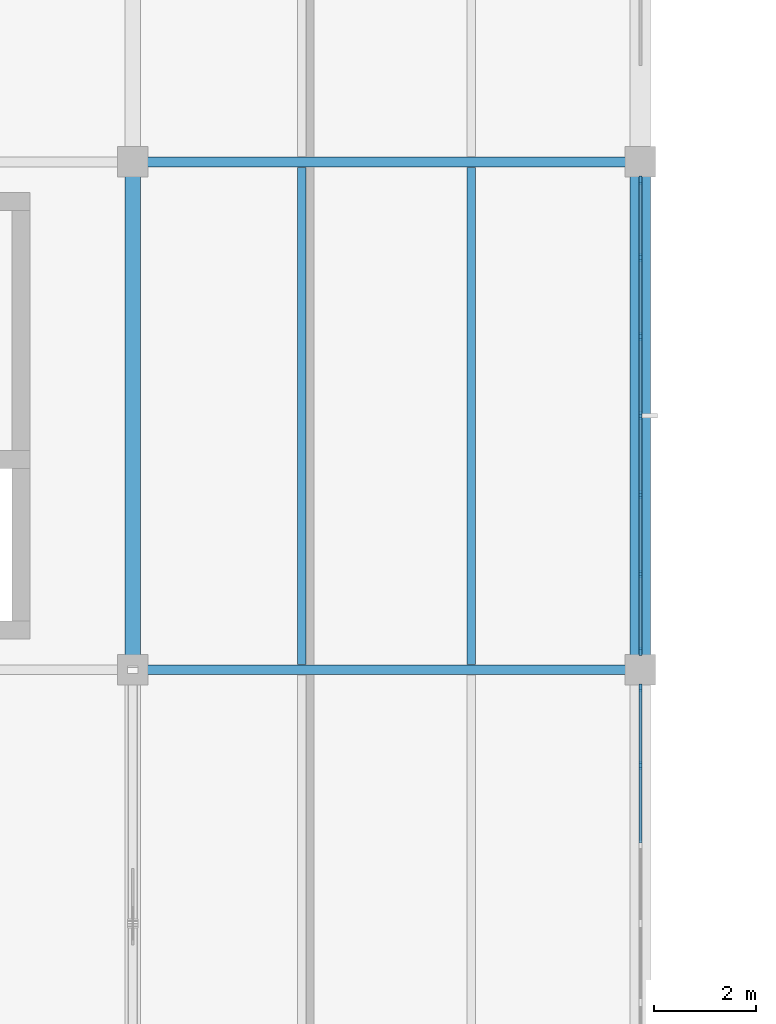
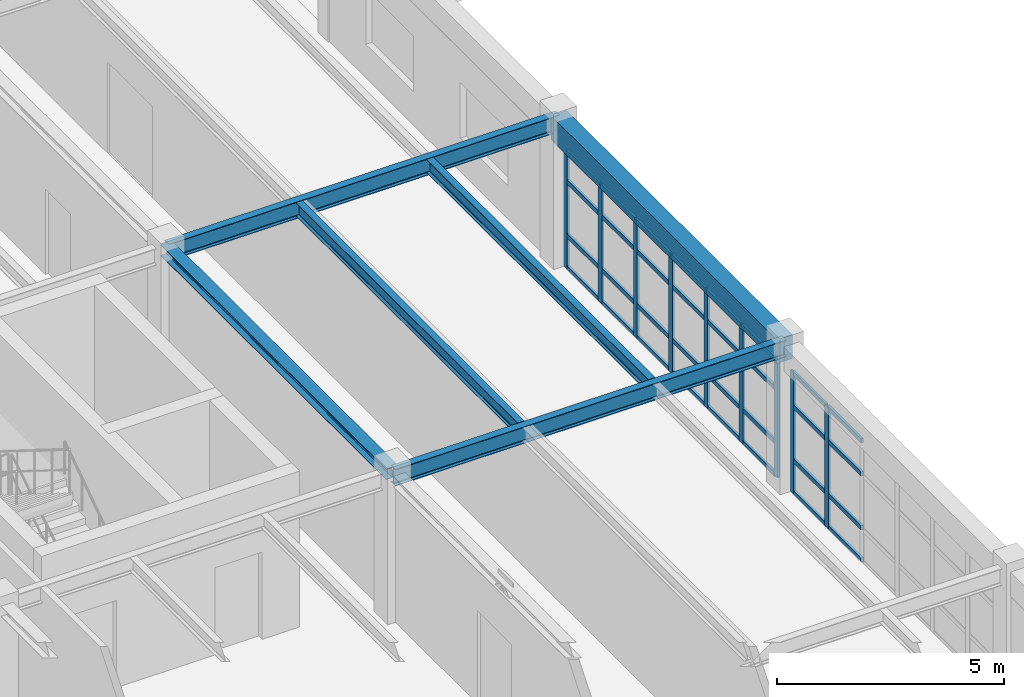
# One storey, part 32 of 122: 41 members, 6 beams, 2 elements without a shape of their own.
"""IFC4 building model written with IfcOpenShell, lengths in metres."""

import ifcopenshell
import ifcopenshell.guid

model = None  # the IFC model being written
_history = None  # IfcOwnerHistory: only IFC2X3 demands one
_inside = {}  # id of a spatial element -> (the spatial element, [elements in it])
_under = {}  # id of a project, library or spatial element -> (it, [spatial elements below it])
_declared = {}  # id of a project -> (the project, [libraries it declares])
_typed = {}  # id of a type object -> (the type object, [elements of that type])
_made_of = {}  # id of a material, layer set ... -> (it, [elements and type objects made of it])


def new_model(schema):
    """Start an empty IFC model of exactly this schema.

    Asked for "IFC4X3", IfcOpenShell would pick the latest addendum, in which some entities
    have other attributes; the version numbers below select the first issue.
    IFC2X3 requires an IfcOwnerHistory on every rooted entity: one is made here for all.
    """
    global model, _history
    if schema == "IFC4X3":
        model = ifcopenshell.file(schema_version=(4, 3, 0, 0))
    else:
        model = ifcopenshell.file(schema=schema)
    _inside.clear()
    _under.clear()
    _declared.clear()
    _typed.clear()
    _made_of.clear()
    _history = None
    if model.schema == "IFC2X3":
        org = make("IfcOrganization", Name="unknown")
        user = make(
            "IfcPersonAndOrganization",
            ThePerson=make("IfcPerson", FamilyName="unknown"),
            TheOrganization=org,
        )
        app = make(
            "IfcApplication",
            ApplicationDeveloper=org,
            Version="unknown",
            ApplicationFullName="unknown",
            ApplicationIdentifier="unknown",
        )
        _history = make(
            "IfcOwnerHistory",
            OwningUser=user,
            OwningApplication=app,
            ChangeAction="ADDED",
            CreationDate=0,
        )
    return model


def make(cls, **values):
    """One entity of the class cls with the attributes given. An attribute that is None is left unset."""
    return model.create_entity(
        cls, **{name: value for name, value in values.items() if value is not None}
    )


def rooted(cls, **values):
    """An entity with a GlobalId (a new one), such as an element, a storey or a relation."""
    return make(cls, GlobalId=ifcopenshell.guid.new(), OwnerHistory=_history, **values)


def si_unit(unit_type, name, prefix=None):
    """IfcSIUnit, for example si_unit("LENGTHUNIT", "METRE", prefix="MILLI")."""
    return make("IfcSIUnit", UnitType=unit_type, Prefix=prefix, Name=name)


def assignment(units):
    """IfcUnitAssignment: the units of a project."""
    return None if units is None else make("IfcUnitAssignment", Units=units)


def point(xyz):
    """IfcCartesianPoint."""
    return None if xyz is None else make("IfcCartesianPoint", Coordinates=xyz)


def direction(xyz):
    """IfcDirection."""
    return None if xyz is None else make("IfcDirection", DirectionRatios=xyz)


def frame(location, z_axis=None, x_axis=None):
    """IfcAxis2Placement3D, a coordinate frame: its origin and axes. An axis left out is left unset."""
    return make(
        "IfcAxis2Placement3D",
        Location=point(location),
        Axis=direction(z_axis),
        RefDirection=direction(x_axis),
    )


def frame_2d(location, x_axis=None):
    """IfcAxis2Placement2D, a coordinate frame in the plane: its origin and x axis."""
    return make(
        "IfcAxis2Placement2D", Location=point(location), RefDirection=direction(x_axis)
    )


def origin():
    """The frame at (0, 0, 0) with its axes left unset."""
    return frame((0.0, 0.0, 0.0))


def origin_2d():
    """The frame at (0, 0) in the plane with its x axis left unset."""
    return frame_2d((0.0, 0.0))


def place(relative_to, where):
    """IfcLocalPlacement: puts the frame where relative to a parent placement (None: the world)."""
    return make(
        "IfcLocalPlacement", PlacementRelTo=relative_to, RelativePlacement=where
    )


def context(
    kind, dimensions, precision=None, world=None, true_north=None, identifier=None
):
    """IfcGeometricRepresentationContext, for example the 3D "Model" context."""
    return make(
        "IfcGeometricRepresentationContext",
        ContextIdentifier=identifier,
        ContextType=kind,
        CoordinateSpaceDimension=dimensions,
        Precision=precision,
        WorldCoordinateSystem=world,
        TrueNorth=true_north,
    )


def subcontext(parent, identifier, kind, view, scale=None):
    """IfcGeometricRepresentationSubContext, for example "Body" below "Model"."""
    return make(
        "IfcGeometricRepresentationSubContext",
        ContextIdentifier=identifier,
        ContextType=kind,
        ParentContext=parent,
        TargetScale=scale,
        TargetView=view,
    )


def project(units=None, contexts=None):
    """IfcProject with its units and contexts."""
    return rooted(
        "IfcProject",
        Name="project",
        RepresentationContexts=contexts,
        UnitsInContext=assignment(units),
    )


def spatial(cls, under=None, at=None, **own):
    """A site, building, storey or space (cls), placed at a placement, below another one or the project."""
    s = rooted(cls, ObjectPlacement=at, **own)
    if under is not None:
        _under.setdefault(under.id(), (under, []))[1].append(s)
    return s


def profile(cls, at=None, kind="AREA", **sizes):
    """A parametric profile (cls). Its sizes go by their IFC names, for example OverallWidth=200.0."""
    return make(cls, ProfileType=kind, Position=at, **sizes)


def rectangle(**sizes):
    """IfcRectangleProfileDef."""
    return profile("IfcRectangleProfileDef", **sizes)


def i_section(**sizes):
    """IfcIShapeProfileDef."""
    return profile("IfcIShapeProfileDef", **sizes)


def extrude(swept, where, along, depth):
    """IfcExtrudedAreaSolid: the profile swept, set in the frame where, extruded along a direction by depth."""
    return make(
        "IfcExtrudedAreaSolid",
        SweptArea=swept,
        Position=where,
        ExtrudedDirection=direction(along),
        Depth=depth,
    )


def shape(context_of_items, identifier, shape_type, items):
    """IfcShapeRepresentation: the items that make up one representation, for example the "Body"."""
    return make(
        "IfcShapeRepresentation",
        ContextOfItems=context_of_items,
        RepresentationIdentifier=identifier,
        RepresentationType=shape_type,
        Items=items,
    )


def material(Name=None, Category=None):
    """IfcMaterial."""
    return make("IfcMaterial", Name=Name, Category=Category)


def layer(
    of_material, thickness, ventilated=None, Name=None, Category=None, Priority=None
):
    """IfcMaterialLayer: one layer of a wall or slab, of a material (None: an air gap)."""
    return make(
        "IfcMaterialLayer",
        Material=of_material,
        LayerThickness=thickness,
        IsVentilated=ventilated,
        Name=Name,
        Category=Category,
        Priority=Priority,
    )


def layer_set(layers, Name=None):
    """IfcMaterialLayerSet."""
    return make("IfcMaterialLayerSet", MaterialLayers=layers, LayerSetName=Name)


def material_profile(
    of_material, cross_section, Name=None, Category=None, Priority=None
):
    """IfcMaterialProfile: a cross section and its material."""
    return make(
        "IfcMaterialProfile",
        Name=Name,
        Material=of_material,
        Profile=cross_section,
        Priority=Priority,
        Category=Category,
    )


def profile_set(profiles, Name=None, composite=None):
    """IfcMaterialProfileSet."""
    return make(
        "IfcMaterialProfileSet",
        Name=Name,
        MaterialProfiles=profiles,
        CompositeProfile=composite,
    )


def made_of(thing, what):
    """Note that an element or type object is made of a material, layer set ...; save() writes the relation."""
    if what is not None:
        _made_of.setdefault(what.id(), (what, []))[1].append(thing)
    return thing


def type_object(cls, material=None, **own):
    """A type object (cls), such as IfcWallType, which elements share."""
    return made_of(rooted(cls, **own), material)


def element(
    cls,
    number,
    at=None,
    inside=None,
    cuts=None,
    type_object=None,
    material=None,
    context=None,
    identifier="Body",
    shape_type=None,
    held_by="IfcProductDefinitionShape",
    body=None,
    shapes=None,
    **own,
):
    """One element of the class cls, such as IfcWall. Its Tag is "e" and its number.

    at: its placement. inside: the storey or other place that contains it. cuts: it is an
    opening in that element (IfcRelVoidsElement). A single representation is given by context,
    identifier, shape_type and body (its items); several are given by shapes. held_by: the class
    of the entity that holds the representations. save() writes the other relations.
    """
    e = rooted(cls, Tag="e%d" % number, ObjectPlacement=at, **own)
    if body is not None:
        shapes = [shape(context, identifier, shape_type, body)]
    if shapes is not None:
        e.Representation = make(held_by, Representations=shapes)
    if inside is not None:
        _inside.setdefault(inside.id(), (inside, []))[1].append(e)
    if cuts is not None:
        rooted(
            "IfcRelVoidsElement", RelatingBuildingElement=cuts, RelatedOpeningElement=e
        )
    if type_object is not None:
        _typed.setdefault(type_object.id(), (type_object, []))[1].append(e)
    return made_of(e, material)


def aggregate(whole, parts):
    """IfcRelAggregates: a whole, such as a stair, and the parts it consists of."""
    return rooted("IfcRelAggregates", RelatingObject=whole, RelatedObjects=parts)


def save(model, path):
    """Write the relations noted so far, then the file.

    IfcRelAggregates (storeys below a building ...), IfcRelContainedInSpatialStructure (elements
    in a storey), IfcRelDefinesByType, IfcRelAssociatesMaterial and IfcRelDeclares: one each for
    every whole, place, type object, material and project.
    """
    for whole, parts in _under.values():
        aggregate(whole, parts)
    for where, things in _inside.values():
        rooted(
            "IfcRelContainedInSpatialStructure",
            RelatedElements=things,
            RelatingStructure=where,
        )
    for kind, things in _typed.values():
        rooted("IfcRelDefinesByType", RelatedObjects=things, RelatingType=kind)
    for what, things in _made_of.values():
        rooted("IfcRelAssociatesMaterial", RelatedObjects=things, RelatingMaterial=what)
    for by, libraries in _declared.values():
        rooted("IfcRelDeclares", RelatingContext=by, RelatedDefinitions=libraries)
    model.write(path)


model = new_model("IFC4")

# Units and contexts
model_context = context("Model", 3, precision=1e-05, world=origin(), true_north=direction((0.0, 1.0)))
body_context = subcontext(model_context, "Body", "Model", "MODEL_VIEW")
ifc_project = project(units=[si_unit("LENGTHUNIT", "METRE"), si_unit("AREAUNIT", "SQUARE_METRE"), si_unit("VOLUMEUNIT", "CUBIC_METRE"), si_unit("PLANEANGLEUNIT", "RADIAN"), si_unit("MASSUNIT", "GRAM", prefix="KILO"), si_unit("THERMODYNAMICTEMPERATUREUNIT", "KELVIN"), si_unit("POWERUNIT", "WATT")], contexts=[model_context])

# Site, building, storey
site_placement = place(None, origin())
site = spatial("IfcSite", under=ifc_project, at=site_placement, CompositionType="ELEMENT")
building_placement = place(site_placement, origin())
building = spatial("IfcBuilding", under=site, at=building_placement, Name="Korenveer Ferry Terminal", CompositionType="ELEMENT")
storey_placement = place(building_placement, frame((0.0, 0.0, 10.199951171875)))
storey = spatial("IfcBuildingStorey", under=building, at=storey_placement, Name="L02", CompositionType="ELEMENT", Elevation=10.199951171875)

# Curtain wall, members
ifc_material_1 = material(Name="Unitised bronze-and-glass curtain wall", Category="glass")
ifc_layer_1 = layer(ifc_material_1, 0.159912109375)
ifc_layer_set_1 = layer_set([ifc_layer_1], Name="Unitised bronze-and-glass curtain wall")
curtain_wall_type_1 = type_object("IfcCurtainWallType", Name="ENV-CW-108", PredefinedType="USERDEFINED", material=ifc_layer_set_1)
curtain_wall_1_placement = place(storey_placement, frame((30.0, 49.669921875, 0.0)))
curtain_wall_1 = element("IfcCurtainWall", 1, at=curtain_wall_1_placement, inside=storey, type_object=curtain_wall_type_1, Name="Lancet curtain wall CWX-L02-X30-30-Y40-50", ObjectType="UNITISED CURTAIN WALL", PredefinedType="USERDEFINED")
ifc_material_2 = material(Name="Anodised bronze aluminium", Category="aluminium")
ifc_material_profile_1 = material_profile(ifc_material_2, rectangle(XDim=0.06005859375, YDim=0.159912109375, at=origin_2d()), Name="ALU 60x160")
ifc_profile_set_1 = profile_set([ifc_material_profile_1], Name="Anodised bronze aluminium")
member_type_1 = type_object("IfcMemberType", Name="ENV-CWM-60X160", PredefinedType="MULLION", material=ifc_profile_set_1)
member_1_placement = place(storey_placement, frame((30.0, 49.639892578125, 0.0), z_axis=(0.0, 0.0, 1.0), x_axis=(1.0, 0.0, 0.0)))
member_1 = element("IfcMember", 2, at=member_1_placement, type_object=member_type_1, Name="CW-108 mullion 1", PredefinedType="MULLION", context=body_context, shape_type="SweptSolid", body=[
    extrude(rectangle(XDim=0.06005859375, YDim=0.159912109375, at=origin_2d()), origin(), (0.0, 0.0, 1.0), 3.27001953125),
])
member_2_placement = place(storey_placement, frame((30.0, 48.11328125, 0.0), z_axis=(0.0, 0.0, 1.0), x_axis=(1.0, 0.0, 0.0)))
member_2 = element("IfcMember", 3, at=member_2_placement, type_object=member_type_1, Name="CW-108 mullion 2", PredefinedType="MULLION", context=body_context, shape_type="SweptSolid", body=[
    extrude(rectangle(XDim=0.06005859375, YDim=0.159912109375, at=origin_2d()), origin(), (0.0, 0.0, 1.0), 3.27001953125),
])

ifc_layer_2 = layer(ifc_material_1, 0.159912109375)
ifc_layer_set_2 = layer_set([ifc_layer_2], Name="Unitised bronze-and-glass curtain wall")
curtain_wall_type_2 = type_object("IfcCurtainWallType", Name="ENV-CW-109", PredefinedType="USERDEFINED", material=ifc_layer_set_2)
curtain_wall_2_placement = place(storey_placement, frame((30.0, 59.669921875, 0.0)))
curtain_wall_2 = element("IfcCurtainWall", 4, at=curtain_wall_2_placement, inside=storey, type_object=curtain_wall_type_2, Name="Lancet curtain wall CWX-L02-X30-30-Y50-60", ObjectType="UNITISED CURTAIN WALL", PredefinedType="USERDEFINED")
member_3_placement = place(storey_placement, frame((30.0, 59.639892578125, 0.0), z_axis=(0.0, 0.0, 1.0), x_axis=(1.0, 0.0, 0.0)))
member_3 = element("IfcMember", 5, at=member_3_placement, type_object=member_type_1, Name="CW-109 mullion 1", PredefinedType="MULLION", context=body_context, shape_type="SweptSolid", body=[
    extrude(rectangle(XDim=0.06005859375, YDim=0.159912109375, at=origin_2d()), origin(), (0.0, 0.0, 1.0), 3.170166015625),
])
member_4_placement = place(storey_placement, frame((30.0, 58.11328125, 0.0), z_axis=(0.0, 0.0, 1.0), x_axis=(1.0, 0.0, 0.0)))
member_4 = element("IfcMember", 6, at=member_4_placement, type_object=member_type_1, Name="CW-109 mullion 2", PredefinedType="MULLION", context=body_context, shape_type="SweptSolid", body=[
    extrude(rectangle(XDim=0.06005859375, YDim=0.159912109375, at=origin_2d()), origin(), (0.0, 0.0, 1.0), 3.170166015625),
])
member_5_placement = place(storey_placement, frame((30.0, 56.556640625, 0.0), z_axis=(0.0, 0.0, 1.0), x_axis=(1.0, 0.0, 0.0)))
member_5 = element("IfcMember", 7, at=member_5_placement, type_object=member_type_1, Name="CW-109 mullion 3", PredefinedType="MULLION", context=body_context, shape_type="SweptSolid", body=[
    extrude(rectangle(XDim=0.06005859375, YDim=0.159912109375, at=origin_2d()), origin(), (0.0, 0.0, 1.0), 3.170166015625),
])
member_6_placement = place(storey_placement, frame((30.0, 55.0, 0.0), z_axis=(0.0, 0.0, 1.0), x_axis=(1.0, 0.0, 0.0)))
member_6 = element("IfcMember", 8, at=member_6_placement, type_object=member_type_1, Name="CW-109 mullion 4", PredefinedType="MULLION", context=body_context, shape_type="SweptSolid", body=[
    extrude(rectangle(XDim=0.06005859375, YDim=0.159912109375, at=origin_2d()), origin(), (0.0, 0.0, 1.0), 3.170166015625),
])
member_7_placement = place(storey_placement, frame((30.0, 53.443359375, 0.0), z_axis=(0.0, 0.0, 1.0), x_axis=(1.0, 0.0, 0.0)))
member_7 = element("IfcMember", 9, at=member_7_placement, type_object=member_type_1, Name="CW-109 mullion 5", PredefinedType="MULLION", context=body_context, shape_type="SweptSolid", body=[
    extrude(rectangle(XDim=0.06005859375, YDim=0.159912109375, at=origin_2d()), origin(), (0.0, 0.0, 1.0), 3.170166015625),
])
member_8_placement = place(storey_placement, frame((30.0, 51.88671875, 0.0), z_axis=(0.0, 0.0, 1.0), x_axis=(1.0, 0.0, 0.0)))
member_8 = element("IfcMember", 10, at=member_8_placement, type_object=member_type_1, Name="CW-109 mullion 6", PredefinedType="MULLION", context=body_context, shape_type="SweptSolid", body=[
    extrude(rectangle(XDim=0.06005859375, YDim=0.159912109375, at=origin_2d()), origin(), (0.0, 0.0, 1.0), 3.170166015625),
])
member_9_placement = place(storey_placement, frame((30.0, 50.360107421875, 0.0), z_axis=(0.0, 0.0, 1.0), x_axis=(1.0, 0.0, 0.0)))
member_9 = element("IfcMember", 11, at=member_9_placement, type_object=member_type_1, Name="CW-109 mullion 7", PredefinedType="MULLION", context=body_context, shape_type="SweptSolid", body=[
    extrude(rectangle(XDim=0.06005859375, YDim=0.159912109375, at=origin_2d()), origin(), (0.0, 0.0, 1.0), 3.170166015625),
])

# Member
ifc_material_profile_2 = material_profile(ifc_material_2, rectangle(XDim=0.06005859375, YDim=0.1201171875, at=origin_2d()), Name="ALU 60x120")
ifc_profile_set_2 = profile_set([ifc_material_profile_2], Name="Anodised bronze aluminium")
member_type_2 = type_object("IfcMemberType", Name="ENV-CWT-60X120", PredefinedType="USERDEFINED", material=ifc_profile_set_2)
member_10_placement = place(storey_placement, frame((30.0, 49.610107421875, 0.030029296875), z_axis=(0.0, -1.0, 0.0), x_axis=(1.0, 0.0, 0.0)))
member_10 = element("IfcMember", 12, at=member_10_placement, type_object=member_type_2, Name="CW-108 transom 1.1", ObjectType="TRANSOM", PredefinedType="USERDEFINED", context=body_context, shape_type="SweptSolid", body=[
    extrude(rectangle(XDim=0.06005859375, YDim=0.1201171875, at=origin_2d()), origin(), (0.0, 0.0, 1.0), 1.466796875),
])

member_11_placement = place(storey_placement, frame((30.0, 49.610107421875, 0.900146484375), z_axis=(0.0, -1.0, 0.0), x_axis=(1.0, 0.0, 0.0)))
member_11 = element("IfcMember", 13, at=member_11_placement, type_object=member_type_2, Name="CW-108 transom 1.2", ObjectType="TRANSOM", PredefinedType="USERDEFINED", context=body_context, shape_type="SweptSolid", body=[
    extrude(rectangle(XDim=0.06005859375, YDim=0.1201171875, at=origin_2d()), origin(), (0.0, 0.0, 1.0), 1.466796875),
])

member_12_placement = place(storey_placement, frame((30.0, 49.610107421875, 2.35009765625), z_axis=(0.0, -1.0, 0.0), x_axis=(1.0, 0.0, 0.0)))
member_12 = element("IfcMember", 14, at=member_12_placement, type_object=member_type_2, Name="CW-108 transom 1.3", ObjectType="TRANSOM", PredefinedType="USERDEFINED", context=body_context, shape_type="SweptSolid", body=[
    extrude(rectangle(XDim=0.06005859375, YDim=0.1201171875, at=origin_2d()), origin(), (0.0, 0.0, 1.0), 1.466796875),
])

member_13_placement = place(storey_placement, frame((30.0, 49.610107421875, 3.239990234375), z_axis=(0.0, -1.0, 0.0), x_axis=(1.0, 0.0, 0.0)))
member_13 = element("IfcMember", 15, at=member_13_placement, type_object=member_type_2, Name="CW-108 transom 1.4", ObjectType="TRANSOM", PredefinedType="USERDEFINED", context=body_context, shape_type="SweptSolid", body=[
    extrude(rectangle(XDim=0.06005859375, YDim=0.1201171875, at=origin_2d()), origin(), (0.0, 0.0, 1.0), 1.466796875),
])

member_14_placement = place(storey_placement, frame((30.0, 48.083251953125, 0.030029296875), z_axis=(0.0, -1.0, 0.0), x_axis=(1.0, 0.0, 0.0)))
member_14 = element("IfcMember", 16, at=member_14_placement, type_object=member_type_2, Name="CW-108 transom 2.1", ObjectType="TRANSOM", PredefinedType="USERDEFINED", context=body_context, shape_type="SweptSolid", body=[
    extrude(rectangle(XDim=0.06005859375, YDim=0.1201171875, at=origin_2d()), origin(), (0.0, 0.0, 1.0), 1.49658203125),
])

member_15_placement = place(storey_placement, frame((30.0, 48.083251953125, 0.900146484375), z_axis=(0.0, -1.0, 0.0), x_axis=(1.0, 0.0, 0.0)))
member_15 = element("IfcMember", 17, at=member_15_placement, type_object=member_type_2, Name="CW-108 transom 2.2", ObjectType="TRANSOM", PredefinedType="USERDEFINED", context=body_context, shape_type="SweptSolid", body=[
    extrude(rectangle(XDim=0.06005859375, YDim=0.1201171875, at=origin_2d()), origin(), (0.0, 0.0, 1.0), 1.49658203125),
])

member_16_placement = place(storey_placement, frame((30.0, 48.083251953125, 2.35009765625), z_axis=(0.0, -1.0, 0.0), x_axis=(1.0, 0.0, 0.0)))
member_16 = element("IfcMember", 18, at=member_16_placement, type_object=member_type_2, Name="CW-108 transom 2.3", ObjectType="TRANSOM", PredefinedType="USERDEFINED", context=body_context, shape_type="SweptSolid", body=[
    extrude(rectangle(XDim=0.06005859375, YDim=0.1201171875, at=origin_2d()), origin(), (0.0, 0.0, 1.0), 1.49658203125),
])

member_17_placement = place(storey_placement, frame((30.0, 48.083251953125, 3.239990234375), z_axis=(0.0, -1.0, 0.0), x_axis=(1.0, 0.0, 0.0)))
member_17 = element("IfcMember", 19, at=member_17_placement, type_object=member_type_2, Name="CW-108 transom 2.4", ObjectType="TRANSOM", PredefinedType="USERDEFINED", context=body_context, shape_type="SweptSolid", body=[
    extrude(rectangle(XDim=0.06005859375, YDim=0.1201171875, at=origin_2d()), origin(), (0.0, 0.0, 1.0), 1.49658203125),
])

aggregate(curtain_wall_1, [member_1, member_2, member_10, member_11, member_12, member_13, member_14, member_15, member_16, member_17])

member_18_placement = place(storey_placement, frame((30.0, 59.610107421875, 0.030029296875), z_axis=(0.0, -1.0, 0.0), x_axis=(1.0, 0.0, 0.0)))
member_18 = element("IfcMember", 20, at=member_18_placement, type_object=member_type_2, Name="CW-109 transom 1.1", ObjectType="TRANSOM", PredefinedType="USERDEFINED", context=body_context, shape_type="SweptSolid", body=[
    extrude(rectangle(XDim=0.06005859375, YDim=0.1201171875, at=origin_2d()), origin(), (0.0, 0.0, 1.0), 1.466796875),
])

member_19_placement = place(storey_placement, frame((30.0, 59.610107421875, 0.900146484375), z_axis=(0.0, -1.0, 0.0), x_axis=(1.0, 0.0, 0.0)))
member_19 = element("IfcMember", 21, at=member_19_placement, type_object=member_type_2, Name="CW-109 transom 1.2", ObjectType="TRANSOM", PredefinedType="USERDEFINED", context=body_context, shape_type="SweptSolid", body=[
    extrude(rectangle(XDim=0.06005859375, YDim=0.1201171875, at=origin_2d()), origin(), (0.0, 0.0, 1.0), 1.466796875),
])

member_20_placement = place(storey_placement, frame((30.0, 59.610107421875, 2.35009765625), z_axis=(0.0, -1.0, 0.0), x_axis=(1.0, 0.0, 0.0)))
member_20 = element("IfcMember", 22, at=member_20_placement, type_object=member_type_2, Name="CW-109 transom 1.3", ObjectType="TRANSOM", PredefinedType="USERDEFINED", context=body_context, shape_type="SweptSolid", body=[
    extrude(rectangle(XDim=0.06005859375, YDim=0.1201171875, at=origin_2d()), origin(), (0.0, 0.0, 1.0), 1.466796875),
])

member_21_placement = place(storey_placement, frame((30.0, 59.610107421875, 3.14013671875), z_axis=(0.0, -1.0, 0.0), x_axis=(1.0, 0.0, 0.0)))
member_21 = element("IfcMember", 23, at=member_21_placement, type_object=member_type_2, Name="CW-109 transom 1.4", ObjectType="TRANSOM", PredefinedType="USERDEFINED", context=body_context, shape_type="SweptSolid", body=[
    extrude(rectangle(XDim=0.06005859375, YDim=0.1201171875, at=origin_2d()), origin(), (0.0, 0.0, 1.0), 1.466796875),
])

member_22_placement = place(storey_placement, frame((30.0, 58.083251953125, 0.030029296875), z_axis=(0.0, -1.0, 0.0), x_axis=(1.0, 0.0, 0.0)))
member_22 = element("IfcMember", 24, at=member_22_placement, type_object=member_type_2, Name="CW-109 transom 2.1", ObjectType="TRANSOM", PredefinedType="USERDEFINED", context=body_context, shape_type="SweptSolid", body=[
    extrude(rectangle(XDim=0.06005859375, YDim=0.1201171875, at=origin_2d()), origin(), (0.0, 0.0, 1.0), 1.49658203125),
])

member_23_placement = place(storey_placement, frame((30.0, 58.083251953125, 0.900146484375), z_axis=(0.0, -1.0, 0.0), x_axis=(1.0, 0.0, 0.0)))
member_23 = element("IfcMember", 25, at=member_23_placement, type_object=member_type_2, Name="CW-109 transom 2.2", ObjectType="TRANSOM", PredefinedType="USERDEFINED", context=body_context, shape_type="SweptSolid", body=[
    extrude(rectangle(XDim=0.06005859375, YDim=0.1201171875, at=origin_2d()), origin(), (0.0, 0.0, 1.0), 1.49658203125),
])

member_24_placement = place(storey_placement, frame((30.0, 58.083251953125, 2.35009765625), z_axis=(0.0, -1.0, 0.0), x_axis=(1.0, 0.0, 0.0)))
member_24 = element("IfcMember", 26, at=member_24_placement, type_object=member_type_2, Name="CW-109 transom 2.3", ObjectType="TRANSOM", PredefinedType="USERDEFINED", context=body_context, shape_type="SweptSolid", body=[
    extrude(rectangle(XDim=0.06005859375, YDim=0.1201171875, at=origin_2d()), origin(), (0.0, 0.0, 1.0), 1.49658203125),
])

member_25_placement = place(storey_placement, frame((30.0, 58.083251953125, 3.14013671875), z_axis=(0.0, -1.0, 0.0), x_axis=(1.0, 0.0, 0.0)))
member_25 = element("IfcMember", 27, at=member_25_placement, type_object=member_type_2, Name="CW-109 transom 2.4", ObjectType="TRANSOM", PredefinedType="USERDEFINED", context=body_context, shape_type="SweptSolid", body=[
    extrude(rectangle(XDim=0.06005859375, YDim=0.1201171875, at=origin_2d()), origin(), (0.0, 0.0, 1.0), 1.49658203125),
])

member_26_placement = place(storey_placement, frame((30.0, 56.526611328125, 0.030029296875), z_axis=(0.0, -1.0, 0.0), x_axis=(1.0, 0.0, 0.0)))
member_26 = element("IfcMember", 28, at=member_26_placement, type_object=member_type_2, Name="CW-109 transom 3.1", ObjectType="TRANSOM", PredefinedType="USERDEFINED", context=body_context, shape_type="SweptSolid", body=[
    extrude(rectangle(XDim=0.06005859375, YDim=0.1201171875, at=origin_2d()), origin(), (0.0, 0.0, 1.0), 1.49658203125),
])

member_27_placement = place(storey_placement, frame((30.0, 56.526611328125, 0.900146484375), z_axis=(0.0, -1.0, 0.0), x_axis=(1.0, 0.0, 0.0)))
member_27 = element("IfcMember", 29, at=member_27_placement, type_object=member_type_2, Name="CW-109 transom 3.2", ObjectType="TRANSOM", PredefinedType="USERDEFINED", context=body_context, shape_type="SweptSolid", body=[
    extrude(rectangle(XDim=0.06005859375, YDim=0.1201171875, at=origin_2d()), origin(), (0.0, 0.0, 1.0), 1.49658203125),
])

member_28_placement = place(storey_placement, frame((30.0, 56.526611328125, 2.35009765625), z_axis=(0.0, -1.0, 0.0), x_axis=(1.0, 0.0, 0.0)))
member_28 = element("IfcMember", 30, at=member_28_placement, type_object=member_type_2, Name="CW-109 transom 3.3", ObjectType="TRANSOM", PredefinedType="USERDEFINED", context=body_context, shape_type="SweptSolid", body=[
    extrude(rectangle(XDim=0.06005859375, YDim=0.1201171875, at=origin_2d()), origin(), (0.0, 0.0, 1.0), 1.49658203125),
])

member_29_placement = place(storey_placement, frame((30.0, 56.526611328125, 3.14013671875), z_axis=(0.0, -1.0, 0.0), x_axis=(1.0, 0.0, 0.0)))
member_29 = element("IfcMember", 31, at=member_29_placement, type_object=member_type_2, Name="CW-109 transom 3.4", ObjectType="TRANSOM", PredefinedType="USERDEFINED", context=body_context, shape_type="SweptSolid", body=[
    extrude(rectangle(XDim=0.06005859375, YDim=0.1201171875, at=origin_2d()), origin(), (0.0, 0.0, 1.0), 1.49658203125),
])

member_30_placement = place(storey_placement, frame((30.0, 54.969970703125, 0.030029296875), z_axis=(0.0, -1.0, 0.0), x_axis=(1.0, 0.0, 0.0)))
member_30 = element("IfcMember", 32, at=member_30_placement, type_object=member_type_2, Name="CW-109 transom 4.1", ObjectType="TRANSOM", PredefinedType="USERDEFINED", context=body_context, shape_type="SweptSolid", body=[
    extrude(rectangle(XDim=0.06005859375, YDim=0.1201171875, at=origin_2d()), origin(), (0.0, 0.0, 1.0), 1.49658203125),
])

member_31_placement = place(storey_placement, frame((30.0, 54.969970703125, 0.900146484375), z_axis=(0.0, -1.0, 0.0), x_axis=(1.0, 0.0, 0.0)))
member_31 = element("IfcMember", 33, at=member_31_placement, type_object=member_type_2, Name="CW-109 transom 4.2", ObjectType="TRANSOM", PredefinedType="USERDEFINED", context=body_context, shape_type="SweptSolid", body=[
    extrude(rectangle(XDim=0.06005859375, YDim=0.1201171875, at=origin_2d()), origin(), (0.0, 0.0, 1.0), 1.49658203125),
])

member_32_placement = place(storey_placement, frame((30.0, 54.969970703125, 2.35009765625), z_axis=(0.0, -1.0, 0.0), x_axis=(1.0, 0.0, 0.0)))
member_32 = element("IfcMember", 34, at=member_32_placement, type_object=member_type_2, Name="CW-109 transom 4.3", ObjectType="TRANSOM", PredefinedType="USERDEFINED", context=body_context, shape_type="SweptSolid", body=[
    extrude(rectangle(XDim=0.06005859375, YDim=0.1201171875, at=origin_2d()), origin(), (0.0, 0.0, 1.0), 1.49658203125),
])

member_33_placement = place(storey_placement, frame((30.0, 54.969970703125, 3.14013671875), z_axis=(0.0, -1.0, 0.0), x_axis=(1.0, 0.0, 0.0)))
member_33 = element("IfcMember", 35, at=member_33_placement, type_object=member_type_2, Name="CW-109 transom 4.4", ObjectType="TRANSOM", PredefinedType="USERDEFINED", context=body_context, shape_type="SweptSolid", body=[
    extrude(rectangle(XDim=0.06005859375, YDim=0.1201171875, at=origin_2d()), origin(), (0.0, 0.0, 1.0), 1.49658203125),
])

member_34_placement = place(storey_placement, frame((30.0, 53.413330078125, 0.030029296875), z_axis=(0.0, -1.0, 0.0), x_axis=(1.0, 0.0, 0.0)))
member_34 = element("IfcMember", 36, at=member_34_placement, type_object=member_type_2, Name="CW-109 transom 5.1", ObjectType="TRANSOM", PredefinedType="USERDEFINED", context=body_context, shape_type="SweptSolid", body=[
    extrude(rectangle(XDim=0.06005859375, YDim=0.1201171875, at=origin_2d()), origin(), (0.0, 0.0, 1.0), 1.49658203125),
])

member_35_placement = place(storey_placement, frame((30.0, 53.413330078125, 0.900146484375), z_axis=(0.0, -1.0, 0.0), x_axis=(1.0, 0.0, 0.0)))
member_35 = element("IfcMember", 37, at=member_35_placement, type_object=member_type_2, Name="CW-109 transom 5.2", ObjectType="TRANSOM", PredefinedType="USERDEFINED", context=body_context, shape_type="SweptSolid", body=[
    extrude(rectangle(XDim=0.06005859375, YDim=0.1201171875, at=origin_2d()), origin(), (0.0, 0.0, 1.0), 1.49658203125),
])

member_36_placement = place(storey_placement, frame((30.0, 53.413330078125, 2.35009765625), z_axis=(0.0, -1.0, 0.0), x_axis=(1.0, 0.0, 0.0)))
member_36 = element("IfcMember", 38, at=member_36_placement, type_object=member_type_2, Name="CW-109 transom 5.3", ObjectType="TRANSOM", PredefinedType="USERDEFINED", context=body_context, shape_type="SweptSolid", body=[
    extrude(rectangle(XDim=0.06005859375, YDim=0.1201171875, at=origin_2d()), origin(), (0.0, 0.0, 1.0), 1.49658203125),
])

member_37_placement = place(storey_placement, frame((30.0, 53.413330078125, 3.14013671875), z_axis=(0.0, -1.0, 0.0), x_axis=(1.0, 0.0, 0.0)))
member_37 = element("IfcMember", 39, at=member_37_placement, type_object=member_type_2, Name="CW-109 transom 5.4", ObjectType="TRANSOM", PredefinedType="USERDEFINED", context=body_context, shape_type="SweptSolid", body=[
    extrude(rectangle(XDim=0.06005859375, YDim=0.1201171875, at=origin_2d()), origin(), (0.0, 0.0, 1.0), 1.49658203125),
])

member_38_placement = place(storey_placement, frame((30.0, 51.856689453125, 0.030029296875), z_axis=(0.0, -1.0, 0.0), x_axis=(1.0, 0.0, 0.0)))
member_38 = element("IfcMember", 40, at=member_38_placement, type_object=member_type_2, Name="CW-109 transom 6.1", ObjectType="TRANSOM", PredefinedType="USERDEFINED", context=body_context, shape_type="SweptSolid", body=[
    extrude(rectangle(XDim=0.06005859375, YDim=0.1201171875, at=origin_2d()), origin(), (0.0, 0.0, 1.0), 1.466796875),
])

member_39_placement = place(storey_placement, frame((30.0, 51.856689453125, 0.900146484375), z_axis=(0.0, -1.0, 0.0), x_axis=(1.0, 0.0, 0.0)))
member_39 = element("IfcMember", 41, at=member_39_placement, type_object=member_type_2, Name="CW-109 transom 6.2", ObjectType="TRANSOM", PredefinedType="USERDEFINED", context=body_context, shape_type="SweptSolid", body=[
    extrude(rectangle(XDim=0.06005859375, YDim=0.1201171875, at=origin_2d()), origin(), (0.0, 0.0, 1.0), 1.466796875),
])

member_40_placement = place(storey_placement, frame((30.0, 51.856689453125, 2.35009765625), z_axis=(0.0, -1.0, 0.0), x_axis=(1.0, 0.0, 0.0)))
member_40 = element("IfcMember", 42, at=member_40_placement, type_object=member_type_2, Name="CW-109 transom 6.3", ObjectType="TRANSOM", PredefinedType="USERDEFINED", context=body_context, shape_type="SweptSolid", body=[
    extrude(rectangle(XDim=0.06005859375, YDim=0.1201171875, at=origin_2d()), origin(), (0.0, 0.0, 1.0), 1.466796875),
])

member_41_placement = place(storey_placement, frame((30.0, 51.856689453125, 3.14013671875), z_axis=(0.0, -1.0, 0.0), x_axis=(1.0, 0.0, 0.0)))
member_41 = element("IfcMember", 43, at=member_41_placement, type_object=member_type_2, Name="CW-109 transom 6.4", ObjectType="TRANSOM", PredefinedType="USERDEFINED", context=body_context, shape_type="SweptSolid", body=[
    extrude(rectangle(XDim=0.06005859375, YDim=0.1201171875, at=origin_2d()), origin(), (0.0, 0.0, 1.0), 1.466796875),
])

aggregate(curtain_wall_2, [member_3, member_4, member_5, member_6, member_7, member_8, member_9, member_18, member_19, member_20, member_21, member_22, member_23, member_24, member_25, member_26, member_27, member_28, member_29, member_30, member_31, member_32, member_33, member_34, member_35, member_36, member_37, member_38, member_39, member_40, member_41])

# Beams
ifc_material_3 = material(Name="Steel S355", Category="steel")
ifc_material_profile_3 = material_profile(ifc_material_3, i_section(OverallWidth=0.300048828125, OverallDepth=0.2900390625, WebThickness=0.008544921875, FlangeThickness=0.013916015625, FilletRadius=0.027099609375, at=origin_2d()), Name="HEA 300")
ifc_profile_set_3 = profile_set([ifc_material_profile_3], Name="Steel S355")
beam_type_1 = type_object("IfcBeamType", Name="STR-BM-HEA300", PredefinedType="BEAM", material=ifc_profile_set_3)
beam_1_placement = place(storey_placement, frame((20.0, 50.02001953125, 3.804931640625), z_axis=(0.0, 1.0, 0.0), x_axis=(-1.0, 0.0, 0.0)))
element("IfcBeam", 44, at=beam_1_placement, inside=storey, type_object=beam_type_1, Name="Primary Y girder BMY-L03-X20-Y50-60", PredefinedType="BEAM", context=body_context, shape_type="SweptSolid", body=[
    extrude(i_section(OverallWidth=0.300048828125, OverallDepth=0.2900390625, WebThickness=0.008544921875, FlangeThickness=0.013916015625, FilletRadius=0.027099609375, at=origin_2d()), origin(), (0.0, 0.0, 1.0), 9.9599609375),
])
ifc_material_profile_4 = material_profile(ifc_material_3, i_section(OverallWidth=0.18994140625, OverallDepth=0.449951171875, WebThickness=0.009521484375, FlangeThickness=0.0146484375, FilletRadius=0.02099609375, at=origin_2d()), Name="IPE 450")
ifc_profile_set_4 = profile_set([ifc_material_profile_4], Name="Steel S355")
beam_type_2 = type_object("IfcBeamType", Name="STR-BM-IPE450", PredefinedType="BEAM", material=ifc_profile_set_4)
for number, where, z_axis, x_axis, name in (
    (45, (20.02001953125, 50.0, 3.72509765625), (1.0, 0.0, 0.0), (0.0, 1.0, 0.0), "Primary X girder BMX-L03-X20-30-Y50"),
    (46, (20.02001953125, 60.0, 3.72509765625), (1.0, 0.0, 0.0), (0.0, 1.0, 0.0), "Primary X girder BMX-L03-X20-30-Y60"),
):
    element("IfcBeam", number, at=place(storey_placement, frame(where, z_axis=z_axis, x_axis=x_axis)), inside=storey, type_object=beam_type_2, Name=name, PredefinedType="BEAM", context=body_context, shape_type="SweptSolid", body=[
        extrude(i_section(OverallWidth=0.18994140625, OverallDepth=0.449951171875, WebThickness=0.009521484375, FlangeThickness=0.0146484375, FilletRadius=0.02099609375, at=origin_2d()), origin(), (0.0, 0.0, 1.0), 9.9599609375),
    ])
ifc_material_4 = material(Name="Concrete C40/50", Category="concrete")
ifc_material_profile_5 = material_profile(ifc_material_4, rectangle(XDim=0.39990234375, YDim=0.64990234375, at=origin_2d()), Name="RC 400x650")
ifc_profile_set_5 = profile_set([ifc_material_profile_5], Name="Concrete C40/50")
beam_type_3 = type_object("IfcBeamType", Name="STR-BM-RC400X650", PredefinedType="BEAM", material=ifc_profile_set_5)
beam_2_placement = place(storey_placement, frame((30.0, 50.02001953125, 3.625), z_axis=(0.0, 1.0, 0.0), x_axis=(-1.0, 0.0, 0.0)))
element("IfcBeam", 47, at=beam_2_placement, inside=storey, type_object=beam_type_3, Name="Primary Y girder BMY-L03-X30-Y50-60", PredefinedType="BEAM", context=body_context, shape_type="SweptSolid", body=[
    extrude(rectangle(XDim=0.39990234375, YDim=0.64990234375, at=origin_2d()), origin(), (0.0, 0.0, 1.0), 9.9599609375),
])
ifc_material_profile_6 = material_profile(ifc_material_3, i_section(OverallWidth=0.169921875, OverallDepth=0.360107421875, WebThickness=0.008056640625, FlangeThickness=0.0126953125, FilletRadius=0.01806640625, at=origin_2d()), Name="IPE 360")
ifc_profile_set_6 = profile_set([ifc_material_profile_6], Name="Steel S355")
beam_type_4 = type_object("IfcBeamType", Name="STR-JST-IPE360", PredefinedType="JOIST", material=ifc_profile_set_6)
for number, where, z_axis, x_axis, name in (
    (48, (23.333251953125, 50.10498046875, 3.77001953125), (0.0, 1.0, 0.0), (-1.0, 0.0, 0.0), "Secondary composite joist JST-L03-X233-Y50-60"),
    (49, (26.666748046875, 50.10498046875, 3.77001953125), (0.0, 1.0, 0.0), (-1.0, 0.0, 0.0), "Secondary composite joist JST-L03-X267-Y50-60"),
):
    element("IfcBeam", number, at=place(storey_placement, frame(where, z_axis=z_axis, x_axis=x_axis)), inside=storey, type_object=beam_type_4, Name=name, PredefinedType="JOIST", context=body_context, shape_type="SweptSolid", body=[
        extrude(i_section(OverallWidth=0.169921875, OverallDepth=0.360107421875, WebThickness=0.008056640625, FlangeThickness=0.0126953125, FilletRadius=0.01806640625, at=origin_2d()), origin(), (0.0, 0.0, 1.0), 9.7900390625),
    ])

save(model, "model.ifc")
